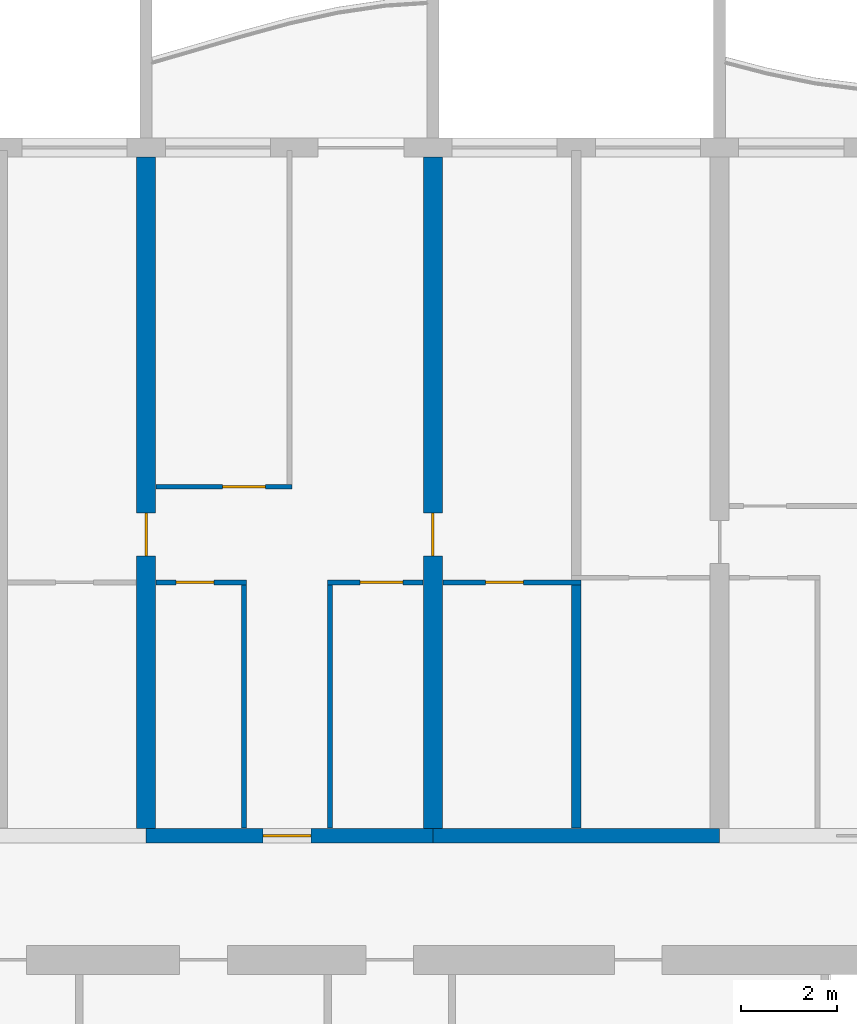
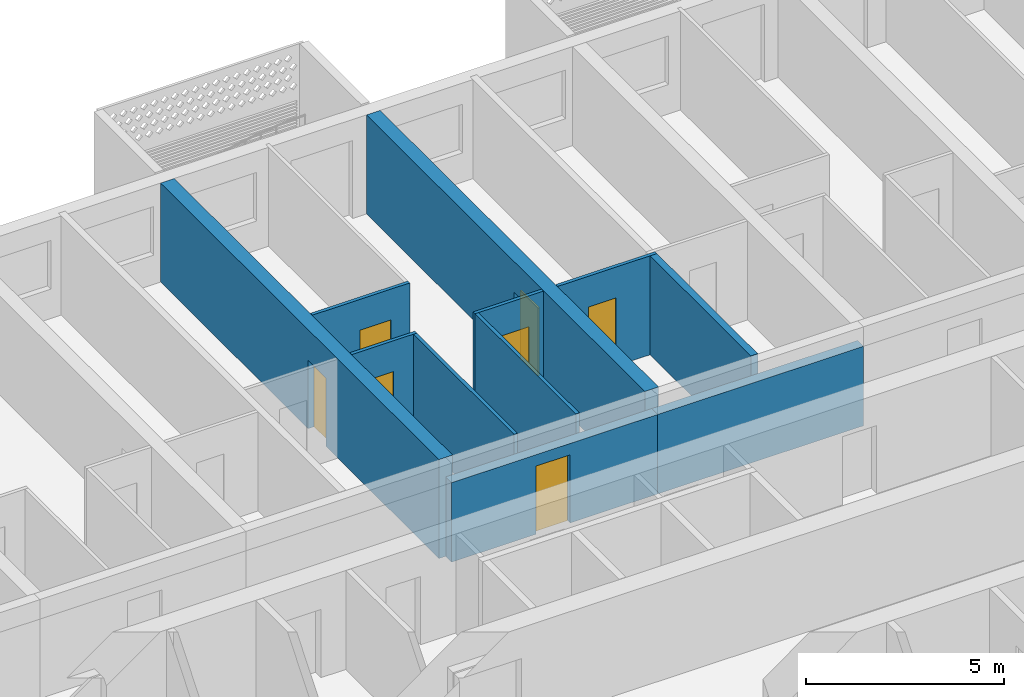
# One storey, part 12 of 38: 11 walls, 7 doors, 7 openings.
"""IFC4 building model written with IfcOpenShell, lengths in metres."""

from ifc_helpers import new_model, si_unit, direction, frame, frame_2d, origin, place, context, subcontext, project, spatial, rectangle, extrude, material, layer, layer_set, type_object, element, fill, save


model = new_model("IFC4")

# Units and contexts
model_context = context("Model", 3, precision=1e-05, world=origin(), true_north=direction((0.0, 1.0)))
body_context = subcontext(model_context, "Body", "Model", "MODEL_VIEW")
ifc_project = project(units=[si_unit("LENGTHUNIT", "METRE"), si_unit("AREAUNIT", "SQUARE_METRE"), si_unit("VOLUMEUNIT", "CUBIC_METRE"), si_unit("PLANEANGLEUNIT", "RADIAN"), si_unit("MASSUNIT", "GRAM", prefix="KILO")], contexts=[model_context])

# Site, building, storey
site_placement = place(None, origin())
site = spatial("IfcSite", under=ifc_project, at=site_placement, CompositionType="ELEMENT")
building_placement = place(site_placement, origin())
building = spatial("IfcBuilding", under=site, at=building_placement, Name="Poui Terraces", CompositionType="ELEMENT")
storey_placement = place(building_placement, frame((0.0, 0.0, 43.199951171875)))
storey = spatial("IfcBuildingStorey", under=building, at=storey_placement, Name="L11", CompositionType="ELEMENT", Elevation=43.199951171875)

# Wall, opening, door
ifc_material_1 = material(Name="Concrete 80 MPa", Category="concrete")
ifc_layer_1 = layer(ifc_material_1, 0.300048828125)
ifc_layer_set_1 = layer_set([ifc_layer_1], Name="Concrete 80 MPa")
wall_type_1 = type_object("IfcWallType", Name="CORRIDOR WALL 300 80MPa", PredefinedType="SHEAR", material=ifc_layer_set_1)
wall_1_placement = place(storey_placement, frame((54.0, 30.39990234375, 0.0), z_axis=(0.0, 0.0, 1.0), x_axis=(1.0, 0.0, 0.0)))
wall_1 = element("IfcWall", 1, at=wall_1_placement, inside=storey, type_object=wall_type_1, Name="CORRIDOR WALL LINE E BAY 10", PredefinedType="SHEAR", context=body_context, shape_type="SweptSolid", body=[
    extrude(rectangle(XDim=6.0, YDim=0.300048828125, at=frame_2d((3.0, 0.0))), origin(), (0.0, 0.0, 1.0), 2.449951171875),
])
opening_1_placement = place(wall_1_placement, frame((2.449951171875, 0.0, 0.0)))
opening_1 = element("IfcOpeningElement", 2, at=opening_1_placement, cuts=wall_1, Name="Opening FD30S", PredefinedType="OPENING", context=body_context, shape_type="SweptSolid", body=[
    extrude(rectangle(XDim=1.0, YDim=2.10009765625, at=frame_2d((0.5, 1.050048828125))), frame((0.0, 0.16015625, 0.0), z_axis=(0.0, -1.0, 0.0), x_axis=(1.0, 0.0, 0.0)), (0.0, 0.0, 1.0), 0.320068359375),
])
ifc_material_2 = material(Name="Steel fire door", Category="steel")
door_type_1 = type_object("IfcDoorType", Name="FLAT ENTRANCE DOOR 1000 X 2100", OperationType="NOTDEFINED", PredefinedType="DOOR", material=ifc_material_2)
door_1_placement = place(opening_1_placement, origin())
door_1 = element("IfcDoor", 3, at=door_1_placement, inside=storey, type_object=door_type_1, Name="FLAT ENTRANCE DOOR 066", OperationType="SINGLE_SWING_LEFT", OverallHeight=2.10009765625, OverallWidth=1.0, PredefinedType="DOOR", context=body_context, shape_type="SweptSolid", body=[
    extrude(rectangle(XDim=1.0, YDim=2.10009765625, at=frame_2d((0.5, 1.050048828125))), frame((0.0, 0.02490234375, 0.0), z_axis=(0.0, -1.0, 0.0), x_axis=(1.0, 0.0, 0.0)), (0.0, 0.0, 1.0), 0.050048828125),
])
fill(opening_1, door_1)

# Wall
wall_2_placement = place(storey_placement, frame((60.0, 30.39990234375, 0.0), z_axis=(0.0, 0.0, 1.0), x_axis=(1.0, 0.0, 0.0)))
element("IfcWall", 4, at=wall_2_placement, inside=storey, type_object=wall_type_1, Name="CORRIDOR WALL LINE E BAY 11", PredefinedType="SHEAR", context=body_context, shape_type="SweptSolid", body=[
    extrude(rectangle(XDim=6.0, YDim=0.300048828125, at=frame_2d((3.0, 0.0))), origin(), (0.0, 0.0, 1.0), 2.449951171875),
])

# Wall, opening, door
ifc_layer_2 = layer(ifc_material_1, 0.39990234375)
ifc_layer_set_2 = layer_set([ifc_layer_2], Name="Concrete 80 MPa")
wall_type_2 = type_object("IfcWallType", Name="CROSS WALL 400 80MPa", PredefinedType="SHEAR", material=ifc_layer_set_2)
wall_3_placement = place(storey_placement, frame((54.0, 30.550048828125, 0.0), z_axis=(0.0, 0.0, 1.0), x_axis=(0.0, 1.0, 0.0)))
wall_3 = element("IfcWall", 5, at=wall_3_placement, inside=storey, type_object=wall_type_2, Name="CROSS WALL LINE 10 NORTH", PredefinedType="SHEAR", context=body_context, shape_type="SweptSolid", body=[
    extrude(rectangle(XDim=14.050048828125, YDim=0.39990234375, at=frame_2d((7.02490234375, 0.0))), origin(), (0.0, 0.0, 1.0), 3.050048828125),
])
opening_2_placement = place(wall_3_placement, frame((5.699951171875, 0.0, 0.0)))
opening_2 = element("IfcOpeningElement", 6, at=opening_2_placement, cuts=wall_3, Name="Opening D90", PredefinedType="OPENING", context=body_context, shape_type="SweptSolid", body=[
    extrude(rectangle(XDim=0.89990234375, YDim=2.10009765625, at=frame_2d((0.449951171875, 1.050048828125))), frame((0.0, 0.2099609375, 0.0), z_axis=(0.0, -1.0, 0.0), x_axis=(1.0, 0.0, 0.0)), (0.0, 0.0, 1.0), 0.419921875),
])
ifc_material_3 = material(Name="Solid core timber door", Category="wood")
door_type_2 = type_object("IfcDoorType", Name="INTERNAL DOOR 900 X 2100", OperationType="NOTDEFINED", PredefinedType="DOOR", material=ifc_material_3)
door_2_placement = place(opening_2_placement, origin())
door_2 = element("IfcDoor", 7, at=door_2_placement, inside=storey, type_object=door_type_2, Name="INTERNAL DOOR 063", OperationType="SINGLE_SWING_LEFT", OverallHeight=2.10009765625, OverallWidth=0.89990234375, PredefinedType="DOOR", context=body_context, shape_type="SweptSolid", body=[
    extrude(rectangle(XDim=0.89990234375, YDim=2.10009765625, at=frame_2d((0.449951171875, 1.050048828125))), frame((0.0, 0.02490234375, 0.0), z_axis=(0.0, -1.0, 0.0), x_axis=(1.0, 0.0, 0.0)), (0.0, 0.0, 1.0), 0.050048828125),
])
fill(opening_2, door_2)

wall_4_placement = place(storey_placement, frame((60.0, 30.550048828125, 0.0), z_axis=(0.0, 0.0, 1.0), x_axis=(0.0, 1.0, 0.0)))
wall_4 = element("IfcWall", 8, at=wall_4_placement, inside=storey, type_object=wall_type_2, Name="CROSS WALL LINE 11 NORTH", PredefinedType="SHEAR", context=body_context, shape_type="SweptSolid", body=[
    extrude(rectangle(XDim=14.050048828125, YDim=0.39990234375, at=frame_2d((7.02490234375, 0.0))), origin(), (0.0, 0.0, 1.0), 3.050048828125),
])
opening_3_placement = place(wall_4_placement, frame((5.699951171875, 0.0, 0.0)))
opening_3 = element("IfcOpeningElement", 9, at=opening_3_placement, cuts=wall_4, Name="Opening D90", PredefinedType="OPENING", context=body_context, shape_type="SweptSolid", body=[
    extrude(rectangle(XDim=0.89990234375, YDim=2.10009765625, at=frame_2d((0.449951171875, 1.050048828125))), frame((0.0, 0.2099609375, 0.0), z_axis=(0.0, -1.0, 0.0), x_axis=(1.0, 0.0, 0.0)), (0.0, 0.0, 1.0), 0.419921875),
])
door_3_placement = place(opening_3_placement, frame((0.89990234375, 0.0, 0.0), z_axis=(0.0, 0.0, 1.0), x_axis=(-1.0, 0.0, 0.0)))
door_3 = element("IfcDoor", 10, at=door_3_placement, inside=storey, type_object=door_type_2, Name="INTERNAL DOOR 068", OperationType="SINGLE_SWING_RIGHT", OverallHeight=2.10009765625, OverallWidth=0.89990234375, PredefinedType="DOOR", context=body_context, shape_type="SweptSolid", body=[
    extrude(rectangle(XDim=0.89990234375, YDim=2.10009765625, at=frame_2d((0.449951171875, 1.050048828125))), frame((0.0, 0.02490234375, 0.0), z_axis=(0.0, -1.0, 0.0), x_axis=(1.0, 0.0, 0.0)), (0.0, 0.0, 1.0), 0.050048828125),
])
fill(opening_3, door_3)

ifc_material_4 = material(Name="Plasterboard partition")
ifc_layer_3 = layer(ifc_material_4, 0.10009765625)
ifc_layer_set_3 = layer_set([ifc_layer_3], Name="Plasterboard partition")
wall_type_3 = type_object("IfcWallType", Name="FLAT PARTITION 100", PredefinedType="PARTITIONING", material=ifc_layer_set_3)
wall_5_placement = place(storey_placement, frame((54.2099609375, 35.699951171875, 0.0), z_axis=(0.0, 0.0, 1.0), x_axis=(1.0, 0.0, 0.0)))
wall_5 = element("IfcWall", 11, at=wall_5_placement, inside=storey, type_object=wall_type_3, Name="FLAT PARTITION 100", PredefinedType="PARTITIONING", context=body_context, shape_type="SweptSolid", body=[
    extrude(rectangle(XDim=1.89013671875, YDim=0.10009765625, at=frame_2d((0.945068359375, 0.0))), origin(), (0.0, 0.0, 1.0), 3.050048828125),
])
opening_4_placement = place(wall_5_placement, frame((0.4150390625, 0.0, 0.0)))
opening_4 = element("IfcOpeningElement", 12, at=opening_4_placement, cuts=wall_5, Name="Opening D80", PredefinedType="OPENING", context=body_context, shape_type="SweptSolid", body=[
    extrude(rectangle(XDim=0.800048828125, YDim=2.10009765625, at=frame_2d((0.39990234375, 1.050048828125))), frame((0.0, 0.06005859375, 0.0), z_axis=(0.0, -1.0, 0.0), x_axis=(1.0, 0.0, 0.0)), (0.0, 0.0, 1.0), 0.1201171875),
])
door_type_3 = type_object("IfcDoorType", Name="BATHROOM, LAUNDRY AND STORE DOOR 800 X 2100", OperationType="NOTDEFINED", PredefinedType="DOOR", material=ifc_material_3)
door_4_placement = place(opening_4_placement, frame((0.800048828125, 0.0, 0.0), z_axis=(0.0, 0.0, 1.0), x_axis=(-1.0, 0.0, 0.0)))
door_4 = element("IfcDoor", 13, at=door_4_placement, inside=storey, type_object=door_type_3, Name="BATHROOM, LAUNDRY AND STORE DOOR 064", OperationType="SINGLE_SWING_LEFT", OverallHeight=2.10009765625, OverallWidth=0.800048828125, PredefinedType="DOOR", context=body_context, shape_type="SweptSolid", body=[
    extrude(rectangle(XDim=0.800048828125, YDim=2.10009765625, at=frame_2d((0.39990234375, 1.050048828125))), frame((0.0, 0.02490234375, 0.0), z_axis=(0.0, -1.0, 0.0), x_axis=(1.0, 0.0, 0.0)), (0.0, 0.0, 1.0), 0.050048828125),
])
fill(opening_4, door_4)

wall_6_placement = place(storey_placement, frame((57.800048828125, 35.699951171875, 0.0), z_axis=(0.0, 0.0, 1.0), x_axis=(1.0, 0.0, 0.0)))
wall_6 = element("IfcWall", 14, at=wall_6_placement, inside=storey, type_object=wall_type_3, Name="FLAT PARTITION 100", PredefinedType="PARTITIONING", context=body_context, shape_type="SweptSolid", body=[
    extrude(rectangle(XDim=1.989990234375, YDim=0.10009765625, at=frame_2d((0.9951171875, 0.0))), origin(), (0.0, 0.0, 1.0), 3.050048828125),
])
opening_5_placement = place(wall_6_placement, frame((0.675048828125, 0.0, 0.0)))
opening_5 = element("IfcOpeningElement", 15, at=opening_5_placement, cuts=wall_6, Name="Opening D90", PredefinedType="OPENING", context=body_context, shape_type="SweptSolid", body=[
    extrude(rectangle(XDim=0.89990234375, YDim=2.10009765625, at=frame_2d((0.449951171875, 1.050048828125))), frame((0.0, 0.06005859375, 0.0), z_axis=(0.0, -1.0, 0.0), x_axis=(1.0, 0.0, 0.0)), (0.0, 0.0, 1.0), 0.1201171875),
])
door_5_placement = place(opening_5_placement, frame((0.89990234375, 0.0, 0.0), z_axis=(0.0, 0.0, 1.0), x_axis=(-1.0, 0.0, 0.0)))
door_5 = element("IfcDoor", 16, at=door_5_placement, inside=storey, type_object=door_type_2, Name="INTERNAL DOOR 067", OperationType="SINGLE_SWING_RIGHT", OverallHeight=2.10009765625, OverallWidth=0.89990234375, PredefinedType="DOOR", context=body_context, shape_type="SweptSolid", body=[
    extrude(rectangle(XDim=0.89990234375, YDim=2.10009765625, at=frame_2d((0.449951171875, 1.050048828125))), frame((0.0, 0.02490234375, 0.0), z_axis=(0.0, -1.0, 0.0), x_axis=(1.0, 0.0, 0.0)), (0.0, 0.0, 1.0), 0.050048828125),
])
fill(opening_5, door_5)

wall_7_placement = place(storey_placement, frame((60.2099609375, 35.699951171875, 0.0), z_axis=(0.0, 0.0, 1.0), x_axis=(1.0, 0.0, 0.0)))
wall_7 = element("IfcWall", 17, at=wall_7_placement, inside=storey, type_object=wall_type_3, Name="FLAT PARTITION 100", PredefinedType="PARTITIONING", context=body_context, shape_type="SweptSolid", body=[
    extrude(rectangle(XDim=2.89013671875, YDim=0.10009765625, at=frame_2d((1.445068359375, 0.0))), origin(), (0.0, 0.0, 1.0), 3.050048828125),
])
opening_6_placement = place(wall_7_placement, frame((0.889892578125, 0.0, 0.0)))
opening_6 = element("IfcOpeningElement", 18, at=opening_6_placement, cuts=wall_7, Name="Opening D80", PredefinedType="OPENING", context=body_context, shape_type="SweptSolid", body=[
    extrude(rectangle(XDim=0.800048828125, YDim=2.10009765625, at=frame_2d((0.39990234375, 1.050048828125))), frame((0.0, 0.06005859375, 0.0), z_axis=(0.0, -1.0, 0.0), x_axis=(1.0, 0.0, 0.0)), (0.0, 0.0, 1.0), 0.1201171875),
])
door_6_placement = place(opening_6_placement, frame((0.800048828125, 0.0, 0.0), z_axis=(0.0, 0.0, 1.0), x_axis=(-1.0, 0.0, 0.0)))
door_6 = element("IfcDoor", 19, at=door_6_placement, inside=storey, type_object=door_type_3, Name="BATHROOM, LAUNDRY AND STORE DOOR 062", OperationType="SINGLE_SWING_LEFT", OverallHeight=2.10009765625, OverallWidth=0.800048828125, PredefinedType="DOOR", context=body_context, shape_type="SweptSolid", body=[
    extrude(rectangle(XDim=0.800048828125, YDim=2.10009765625, at=frame_2d((0.39990234375, 1.050048828125))), frame((0.0, 0.02490234375, 0.0), z_axis=(0.0, -1.0, 0.0), x_axis=(1.0, 0.0, 0.0)), (0.0, 0.0, 1.0), 0.050048828125),
])
fill(opening_6, door_6)

wall_8_placement = place(storey_placement, frame((54.2099609375, 37.699951171875, 0.0), z_axis=(0.0, 0.0, 1.0), x_axis=(1.0, 0.0, 0.0)))
wall_8 = element("IfcWall", 20, at=wall_8_placement, inside=storey, type_object=wall_type_3, Name="FLAT PARTITION 100", PredefinedType="PARTITIONING", context=body_context, shape_type="SweptSolid", body=[
    extrude(rectangle(XDim=2.840087890625, YDim=0.10009765625, at=frame_2d((1.419921875, 0.0))), origin(), (0.0, 0.0, 1.0), 3.050048828125),
])
opening_7_placement = place(wall_8_placement, frame((1.389892578125, 0.0, 0.0)))
opening_7 = element("IfcOpeningElement", 21, at=opening_7_placement, cuts=wall_8, Name="Opening D90", PredefinedType="OPENING", context=body_context, shape_type="SweptSolid", body=[
    extrude(rectangle(XDim=0.89990234375, YDim=2.10009765625, at=frame_2d((0.449951171875, 1.050048828125))), frame((0.0, 0.06005859375, 0.0), z_axis=(0.0, -1.0, 0.0), x_axis=(1.0, 0.0, 0.0)), (0.0, 0.0, 1.0), 0.1201171875),
])
door_7_placement = place(opening_7_placement, frame((0.89990234375, 0.0, 0.0), z_axis=(0.0, 0.0, 1.0), x_axis=(-1.0, 0.0, 0.0)))
door_7 = element("IfcDoor", 22, at=door_7_placement, inside=storey, type_object=door_type_2, Name="INTERNAL DOOR 065", OperationType="SINGLE_SWING_RIGHT", OverallHeight=2.10009765625, OverallWidth=0.89990234375, PredefinedType="DOOR", context=body_context, shape_type="SweptSolid", body=[
    extrude(rectangle(XDim=0.89990234375, YDim=2.10009765625, at=frame_2d((0.449951171875, 1.050048828125))), frame((0.0, 0.02490234375, 0.0), z_axis=(0.0, -1.0, 0.0), x_axis=(1.0, 0.0, 0.0)), (0.0, 0.0, 1.0), 0.050048828125),
])
fill(opening_7, door_7)

# Walls
for number, where, z_axis, x_axis, name in (
    (23, (56.050048828125, 30.56005859375, 0.0), (0.0, 0.0, 1.0), (0.0, 1.0, 0.0), "FLAT PARTITION 100"),
    (24, (57.85009765625, 30.56005859375, 0.0), (0.0, 0.0, 1.0), (0.0, 1.0, 0.0), "FLAT PARTITION 100"),
):
    element("IfcWall", number, at=place(storey_placement, frame(where, z_axis=z_axis, x_axis=x_axis)), inside=storey, type_object=wall_type_3, Name=name, PredefinedType="PARTITIONING", context=body_context, shape_type="SweptSolid", body=[
        extrude(rectangle(XDim=5.08984375, YDim=0.10009765625, at=frame_2d((2.544921875, 0.0))), origin(), (0.0, 0.0, 1.0), 3.050048828125),
    ])
ifc_material_5 = material(Name="Fire-rated masonry wall", Category="masonry")
ifc_layer_4 = layer(ifc_material_5, 0.199951171875)
ifc_layer_set_4 = layer_set([ifc_layer_4], Name="Fire-rated masonry wall")
wall_type_4 = type_object("IfcWallType", Name="FLAT PARTY WALL 200", PredefinedType="PARTITIONING", material=ifc_layer_set_4)
wall_9_placement = place(storey_placement, frame((63.0, 30.56005859375, 0.0), z_axis=(0.0, 0.0, 1.0), x_axis=(0.0, 1.0, 0.0)))
element("IfcWall", 25, at=wall_9_placement, inside=storey, type_object=wall_type_4, Name="FLAT PARTY WALL 200", PredefinedType="PARTITIONING", context=body_context, shape_type="SweptSolid", body=[
    extrude(rectangle(XDim=5.08984375, YDim=0.199951171875, at=frame_2d((2.544921875, 0.0))), origin(), (0.0, 0.0, 1.0), 3.050048828125),
])

save(model, "model.ifc")
